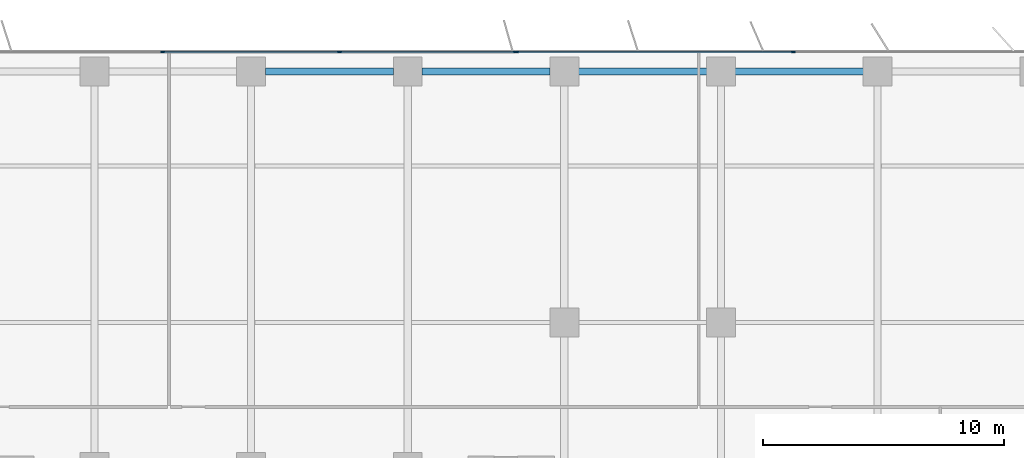
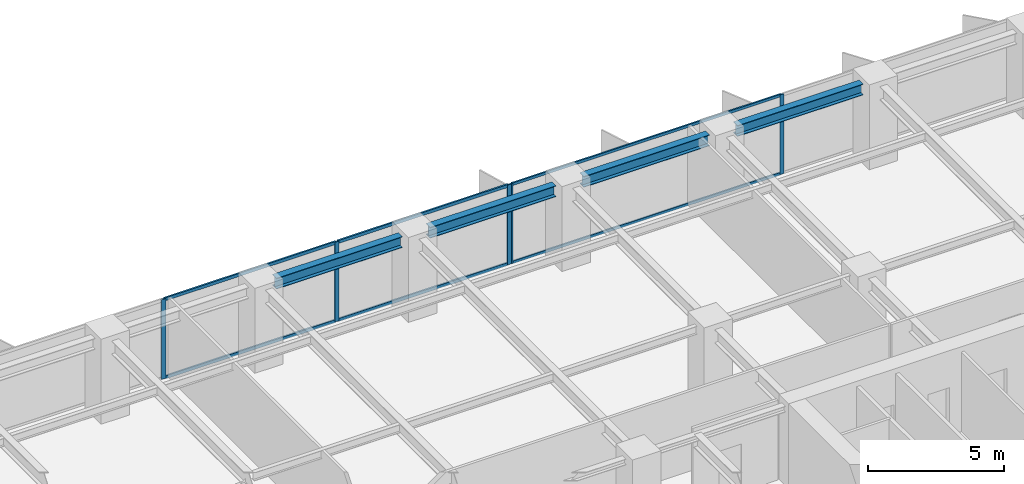
# One storey, part 9 of 20: 11 members, 4 beams, 2 elements without a shape of their own.
"""IFC4 building model written with IfcOpenShell, lengths in metres."""

import ifcopenshell
import ifcopenshell.guid

model = None  # the IFC model being written
_history = None  # IfcOwnerHistory: only IFC2X3 demands one
_inside = {}  # id of a spatial element -> (the spatial element, [elements in it])
_under = {}  # id of a project, library or spatial element -> (it, [spatial elements below it])
_declared = {}  # id of a project -> (the project, [libraries it declares])
_typed = {}  # id of a type object -> (the type object, [elements of that type])
_made_of = {}  # id of a material, layer set ... -> (it, [elements and type objects made of it])


def new_model(schema):
    """Start an empty IFC model of exactly this schema.

    Asked for "IFC4X3", IfcOpenShell would pick the latest addendum, in which some entities
    have other attributes; the version numbers below select the first issue.
    IFC2X3 requires an IfcOwnerHistory on every rooted entity: one is made here for all.
    """
    global model, _history
    if schema == "IFC4X3":
        model = ifcopenshell.file(schema_version=(4, 3, 0, 0))
    else:
        model = ifcopenshell.file(schema=schema)
    _inside.clear()
    _under.clear()
    _declared.clear()
    _typed.clear()
    _made_of.clear()
    _history = None
    if model.schema == "IFC2X3":
        org = make("IfcOrganization", Name="unknown")
        user = make(
            "IfcPersonAndOrganization",
            ThePerson=make("IfcPerson", FamilyName="unknown"),
            TheOrganization=org,
        )
        app = make(
            "IfcApplication",
            ApplicationDeveloper=org,
            Version="unknown",
            ApplicationFullName="unknown",
            ApplicationIdentifier="unknown",
        )
        _history = make(
            "IfcOwnerHistory",
            OwningUser=user,
            OwningApplication=app,
            ChangeAction="ADDED",
            CreationDate=0,
        )
    return model


def make(cls, **values):
    """One entity of the class cls with the attributes given. An attribute that is None is left unset."""
    return model.create_entity(
        cls, **{name: value for name, value in values.items() if value is not None}
    )


def rooted(cls, **values):
    """An entity with a GlobalId (a new one), such as an element, a storey or a relation."""
    return make(cls, GlobalId=ifcopenshell.guid.new(), OwnerHistory=_history, **values)


def si_unit(unit_type, name, prefix=None):
    """IfcSIUnit, for example si_unit("LENGTHUNIT", "METRE", prefix="MILLI")."""
    return make("IfcSIUnit", UnitType=unit_type, Prefix=prefix, Name=name)


def assignment(units):
    """IfcUnitAssignment: the units of a project."""
    return None if units is None else make("IfcUnitAssignment", Units=units)


def point(xyz):
    """IfcCartesianPoint."""
    return None if xyz is None else make("IfcCartesianPoint", Coordinates=xyz)


def direction(xyz):
    """IfcDirection."""
    return None if xyz is None else make("IfcDirection", DirectionRatios=xyz)


def frame(location, z_axis=None, x_axis=None):
    """IfcAxis2Placement3D, a coordinate frame: its origin and axes. An axis left out is left unset."""
    return make(
        "IfcAxis2Placement3D",
        Location=point(location),
        Axis=direction(z_axis),
        RefDirection=direction(x_axis),
    )


def frame_2d(location, x_axis=None):
    """IfcAxis2Placement2D, a coordinate frame in the plane: its origin and x axis."""
    return make(
        "IfcAxis2Placement2D", Location=point(location), RefDirection=direction(x_axis)
    )


def origin():
    """The frame at (0, 0, 0) with its axes left unset."""
    return frame((0.0, 0.0, 0.0))


def origin_2d():
    """The frame at (0, 0) in the plane with its x axis left unset."""
    return frame_2d((0.0, 0.0))


def place(relative_to, where):
    """IfcLocalPlacement: puts the frame where relative to a parent placement (None: the world)."""
    return make(
        "IfcLocalPlacement", PlacementRelTo=relative_to, RelativePlacement=where
    )


def context(
    kind, dimensions, precision=None, world=None, true_north=None, identifier=None
):
    """IfcGeometricRepresentationContext, for example the 3D "Model" context."""
    return make(
        "IfcGeometricRepresentationContext",
        ContextIdentifier=identifier,
        ContextType=kind,
        CoordinateSpaceDimension=dimensions,
        Precision=precision,
        WorldCoordinateSystem=world,
        TrueNorth=true_north,
    )


def subcontext(parent, identifier, kind, view, scale=None):
    """IfcGeometricRepresentationSubContext, for example "Body" below "Model"."""
    return make(
        "IfcGeometricRepresentationSubContext",
        ContextIdentifier=identifier,
        ContextType=kind,
        ParentContext=parent,
        TargetScale=scale,
        TargetView=view,
    )


def project(units=None, contexts=None):
    """IfcProject with its units and contexts."""
    return rooted(
        "IfcProject",
        Name="project",
        RepresentationContexts=contexts,
        UnitsInContext=assignment(units),
    )


def spatial(cls, under=None, at=None, **own):
    """A site, building, storey or space (cls), placed at a placement, below another one or the project."""
    s = rooted(cls, ObjectPlacement=at, **own)
    if under is not None:
        _under.setdefault(under.id(), (under, []))[1].append(s)
    return s


def profile(cls, at=None, kind="AREA", **sizes):
    """A parametric profile (cls). Its sizes go by their IFC names, for example OverallWidth=200.0."""
    return make(cls, ProfileType=kind, Position=at, **sizes)


def rectangle(**sizes):
    """IfcRectangleProfileDef."""
    return profile("IfcRectangleProfileDef", **sizes)


def i_section(**sizes):
    """IfcIShapeProfileDef."""
    return profile("IfcIShapeProfileDef", **sizes)


def extrude(swept, where, along, depth):
    """IfcExtrudedAreaSolid: the profile swept, set in the frame where, extruded along a direction by depth."""
    return make(
        "IfcExtrudedAreaSolid",
        SweptArea=swept,
        Position=where,
        ExtrudedDirection=direction(along),
        Depth=depth,
    )


def shape(context_of_items, identifier, shape_type, items):
    """IfcShapeRepresentation: the items that make up one representation, for example the "Body"."""
    return make(
        "IfcShapeRepresentation",
        ContextOfItems=context_of_items,
        RepresentationIdentifier=identifier,
        RepresentationType=shape_type,
        Items=items,
    )


def material(Name=None, Category=None):
    """IfcMaterial."""
    return make("IfcMaterial", Name=Name, Category=Category)


def layer(
    of_material, thickness, ventilated=None, Name=None, Category=None, Priority=None
):
    """IfcMaterialLayer: one layer of a wall or slab, of a material (None: an air gap)."""
    return make(
        "IfcMaterialLayer",
        Material=of_material,
        LayerThickness=thickness,
        IsVentilated=ventilated,
        Name=Name,
        Category=Category,
        Priority=Priority,
    )


def layer_set(layers, Name=None):
    """IfcMaterialLayerSet."""
    return make("IfcMaterialLayerSet", MaterialLayers=layers, LayerSetName=Name)


def material_profile(
    of_material, cross_section, Name=None, Category=None, Priority=None
):
    """IfcMaterialProfile: a cross section and its material."""
    return make(
        "IfcMaterialProfile",
        Name=Name,
        Material=of_material,
        Profile=cross_section,
        Priority=Priority,
        Category=Category,
    )


def profile_set(profiles, Name=None, composite=None):
    """IfcMaterialProfileSet."""
    return make(
        "IfcMaterialProfileSet",
        Name=Name,
        MaterialProfiles=profiles,
        CompositeProfile=composite,
    )


def made_of(thing, what):
    """Note that an element or type object is made of a material, layer set ...; save() writes the relation."""
    if what is not None:
        _made_of.setdefault(what.id(), (what, []))[1].append(thing)
    return thing


def type_object(cls, material=None, **own):
    """A type object (cls), such as IfcWallType, which elements share."""
    return made_of(rooted(cls, **own), material)


def element(
    cls,
    number,
    at=None,
    inside=None,
    cuts=None,
    type_object=None,
    material=None,
    context=None,
    identifier="Body",
    shape_type=None,
    held_by="IfcProductDefinitionShape",
    body=None,
    shapes=None,
    **own,
):
    """One element of the class cls, such as IfcWall. Its Tag is "e" and its number.

    at: its placement. inside: the storey or other place that contains it. cuts: it is an
    opening in that element (IfcRelVoidsElement). A single representation is given by context,
    identifier, shape_type and body (its items); several are given by shapes. held_by: the class
    of the entity that holds the representations. save() writes the other relations.
    """
    e = rooted(cls, Tag="e%d" % number, ObjectPlacement=at, **own)
    if body is not None:
        shapes = [shape(context, identifier, shape_type, body)]
    if shapes is not None:
        e.Representation = make(held_by, Representations=shapes)
    if inside is not None:
        _inside.setdefault(inside.id(), (inside, []))[1].append(e)
    if cuts is not None:
        rooted(
            "IfcRelVoidsElement", RelatingBuildingElement=cuts, RelatedOpeningElement=e
        )
    if type_object is not None:
        _typed.setdefault(type_object.id(), (type_object, []))[1].append(e)
    return made_of(e, material)


def aggregate(whole, parts):
    """IfcRelAggregates: a whole, such as a stair, and the parts it consists of."""
    return rooted("IfcRelAggregates", RelatingObject=whole, RelatedObjects=parts)


def save(model, path):
    """Write the relations noted so far, then the file.

    IfcRelAggregates (storeys below a building ...), IfcRelContainedInSpatialStructure (elements
    in a storey), IfcRelDefinesByType, IfcRelAssociatesMaterial and IfcRelDeclares: one each for
    every whole, place, type object, material and project.
    """
    for whole, parts in _under.values():
        aggregate(whole, parts)
    for where, things in _inside.values():
        rooted(
            "IfcRelContainedInSpatialStructure",
            RelatedElements=things,
            RelatingStructure=where,
        )
    for kind, things in _typed.values():
        rooted("IfcRelDefinesByType", RelatedObjects=things, RelatingType=kind)
    for what, things in _made_of.values():
        rooted("IfcRelAssociatesMaterial", RelatedObjects=things, RelatingMaterial=what)
    for by, libraries in _declared.values():
        rooted("IfcRelDeclares", RelatingContext=by, RelatedDefinitions=libraries)
    model.write(path)


model = new_model("IFC4")

# Units and contexts
model_context = context("Model", 3, precision=1e-05, world=origin(), true_north=direction((0.0, 1.0)))
body_context = subcontext(model_context, "Body", "Model", "MODEL_VIEW")
ifc_project = project(units=[si_unit("LENGTHUNIT", "METRE"), si_unit("AREAUNIT", "SQUARE_METRE"), si_unit("VOLUMEUNIT", "CUBIC_METRE"), si_unit("PLANEANGLEUNIT", "RADIAN"), si_unit("MASSUNIT", "GRAM", prefix="KILO")], contexts=[model_context])

# Site, building, storey
site_placement = place(None, origin())
site = spatial("IfcSite", under=ifc_project, at=site_placement, CompositionType="ELEMENT")
building_placement = place(site_placement, origin())
building = spatial("IfcBuilding", under=site, at=building_placement, Name="Putna Gate Headquarters", CompositionType="ELEMENT")
storey_placement = place(building_placement, frame((0.0, 0.0, 93.60009765625)))
storey = spatial("IfcBuildingStorey", under=building, at=storey_placement, Name="L22", CompositionType="ELEMENT", Elevation=93.60009765625)

# Beams
ifc_material_1 = material(Name="Steel S355J2", Category="steel")
ifc_material_profile_1 = material_profile(ifc_material_1, i_section(OverallWidth=0.300048828125, OverallDepth=0.489990234375, WebThickness=0.011962890625, FlangeThickness=0.02294921875, at=origin_2d()), Name="Steel S355J2")
ifc_profile_set_1 = profile_set([ifc_material_profile_1], Name="Steel S355J2")
beam_type = type_object("IfcBeamType", Name="BM-SPAN-Z2-HEA500", PredefinedType="SPANDREL", material=ifc_profile_set_1)
for number, where, z_axis, x_axis, name in (
    (1, (39.587890625, 49.419921875, 3.31982421875), (1.0, 0.0, 0.0), (0.0, 1.0, 0.0), "L22 N Perimeter Spandrel 6"),
    (2, (46.087890625, 49.419921875, 3.31982421875), (1.0, 0.0, 0.0), (0.0, 1.0, 0.0), "L22 N Perimeter Spandrel 7"),
    (3, (52.587890625, 49.419921875, 3.31982421875), (1.0, 0.0, 0.0), (0.0, 1.0, 0.0), "L22 N Perimeter Spandrel 8"),
    (4, (59.087890625, 49.419921875, 3.31982421875), (1.0, 0.0, 0.0), (0.0, 1.0, 0.0), "L22 N Perimeter Spandrel 9"),
):
    element("IfcBeam", number, at=place(storey_placement, frame(where, z_axis=z_axis, x_axis=x_axis)), inside=storey, type_object=beam_type, Name=name, PredefinedType="SPANDREL", context=body_context, shape_type="SweptSolid", body=[
        extrude(i_section(OverallWidth=0.300048828125, OverallDepth=0.489990234375, WebThickness=0.011962890625, FlangeThickness=0.02294921875, at=origin_2d()), origin(), (0.0, 0.0, 1.0), 5.32421875),
    ])

# Curtain wall, members
ifc_material_2 = material(Name="Anodised bronze aluminium curtain wall", Category="aluminium")
ifc_layer_1 = layer(ifc_material_2, 0.159912109375)
ifc_layer_set_1 = layer_set([ifc_layer_1], Name="Anodised bronze aluminium curtain wall")
curtain_wall_type_1 = type_object("IfcCurtainWallType", Name="CW-SYS-Z2", PredefinedType="USERDEFINED", material=ifc_layer_set_1)
curtain_wall_1_placement = place(storey_placement, origin())
curtain_wall_1 = element("IfcCurtainWall", 5, at=curtain_wall_1_placement, inside=storey, type_object=curtain_wall_type_1, Name="L22 North East Curtain Wall", ObjectType="STICK CURTAIN WALL", PredefinedType="USERDEFINED")
ifc_material_3 = material(Name="Anodised bronze aluminium EN AW-6060", Category="aluminium")
ifc_material_profile_2 = material_profile(ifc_material_3, rectangle(XDim=0.06494140625, YDim=0.159912109375, at=origin_2d()), Name="Anodised bronze aluminium EN AW-6060")
ifc_profile_set_2 = profile_set([ifc_material_profile_2], Name="Anodised bronze aluminium EN AW-6060")
member_type_1 = type_object("IfcMemberType", Name="MULL-CWM-2", PredefinedType="MULLION", material=ifc_profile_set_2)
member_1_placement = place(storey_placement, frame((50.032470703125, 50.219970703125, 0.0), z_axis=(0.0, 0.0, 1.0), x_axis=(0.0, 1.0, 0.0)))
member_1 = element("IfcMember", 6, at=member_1_placement, type_object=member_type_1, Name="CWS-2 mullion 1", PredefinedType="MULLION", context=body_context, shape_type="SweptSolid", body=[
    extrude(rectangle(XDim=0.06494140625, YDim=0.159912109375, at=origin_2d()), origin(), (0.0, 0.0, 1.0), 3.56494140625),
])
member_2_placement = place(storey_placement, frame((61.5, 50.219970703125, 0.0), z_axis=(0.0, 0.0, 1.0), x_axis=(0.0, 1.0, 0.0)))
member_2 = element("IfcMember", 7, at=member_2_placement, type_object=member_type_1, Name="CWS-2 mullion 2", PredefinedType="MULLION", context=body_context, shape_type="SweptSolid", body=[
    extrude(rectangle(XDim=0.06494140625, YDim=0.159912109375, at=origin_2d()), origin(), (0.0, 0.0, 1.0), 3.56494140625),
])

ifc_layer_2 = layer(ifc_material_2, 0.179931640625)
ifc_layer_set_2 = layer_set([ifc_layer_2], Name="Anodised bronze aluminium curtain wall")
curtain_wall_type_2 = type_object("IfcCurtainWallType", Name="CW-SYS-ATR", PredefinedType="USERDEFINED", material=ifc_layer_set_2)
curtain_wall_2_placement = place(storey_placement, origin())
curtain_wall_2 = element("IfcCurtainWall", 8, at=curtain_wall_2_placement, inside=storey, type_object=curtain_wall_type_2, Name="L22 North Atrium Clear Glazing", ObjectType="ATRIUM GLAZING", PredefinedType="USERDEFINED")
ifc_material_profile_3 = material_profile(ifc_material_3, rectangle(XDim=0.070068359375, YDim=0.179931640625, at=origin_2d()), Name="Anodised bronze aluminium EN AW-6060")
ifc_profile_set_3 = profile_set([ifc_material_profile_3], Name="Anodised bronze aluminium EN AW-6060")
member_type_2 = type_object("IfcMemberType", Name="MULL-CWM-AT", PredefinedType="MULLION", material=ifc_profile_set_3)
member_3_placement = place(storey_placement, frame((35.333251953125, 50.219970703125, 0.0), z_axis=(0.0, 0.0, 1.0), x_axis=(0.0, 1.0, 0.0)))
member_3 = element("IfcMember", 9, at=member_3_placement, type_object=member_type_2, Name="CWS-AT mullion 2", PredefinedType="MULLION", context=body_context, shape_type="SweptSolid", body=[
    extrude(rectangle(XDim=0.070068359375, YDim=0.179931640625, at=origin_2d()), origin(), (0.0, 0.0, 1.0), 3.56494140625),
])
member_4_placement = place(storey_placement, frame((42.666748046875, 50.219970703125, 0.0), z_axis=(0.0, 0.0, 1.0), x_axis=(0.0, 1.0, 0.0)))
member_4 = element("IfcMember", 10, at=member_4_placement, type_object=member_type_2, Name="CWS-AT mullion 3", PredefinedType="MULLION", context=body_context, shape_type="SweptSolid", body=[
    extrude(rectangle(XDim=0.070068359375, YDim=0.179931640625, at=origin_2d()), origin(), (0.0, 0.0, 1.0), 3.56494140625),
])
member_5_placement = place(storey_placement, frame((49.965087890625, 50.219970703125, 0.0), z_axis=(0.0, 0.0, 1.0), x_axis=(0.0, 1.0, 0.0)))
member_5 = element("IfcMember", 11, at=member_5_placement, type_object=member_type_2, Name="CWS-AT mullion 4", PredefinedType="MULLION", context=body_context, shape_type="SweptSolid", body=[
    extrude(rectangle(XDim=0.070068359375, YDim=0.179931640625, at=origin_2d()), origin(), (0.0, 0.0, 1.0), 3.56494140625),
])

# Member
ifc_material_profile_4 = material_profile(ifc_material_3, rectangle(XDim=0.06494140625, YDim=0.1201171875, at=origin_2d()), Name="Anodised bronze aluminium EN AW-6060")
ifc_profile_set_4 = profile_set([ifc_material_profile_4], Name="Anodised bronze aluminium EN AW-6060")
member_type_3 = type_object("IfcMemberType", Name="TRAN-CWT-2", PredefinedType="USERDEFINED", material=ifc_profile_set_4)
member_6_placement = place(storey_placement, frame((50.06494140625, 50.219970703125, 0.032470703125), z_axis=(1.0, 0.0, 0.0), x_axis=(0.0, 1.0, 0.0)))
member_6 = element("IfcMember", 12, at=member_6_placement, type_object=member_type_3, Name="CWS-2 transom 1.1", ObjectType="TRANSOM", PredefinedType="USERDEFINED", context=body_context, shape_type="SweptSolid", body=[
    extrude(rectangle(XDim=0.06494140625, YDim=0.1201171875, at=origin_2d()), origin(), (0.0, 0.0, 1.0), 11.402587890625),
])

member_7_placement = place(storey_placement, frame((50.06494140625, 50.219970703125, 3.532470703125), z_axis=(1.0, 0.0, 0.0), x_axis=(0.0, 1.0, 0.0)))
member_7 = element("IfcMember", 13, at=member_7_placement, type_object=member_type_3, Name="CWS-2 transom 1.2", ObjectType="TRANSOM", PredefinedType="USERDEFINED", context=body_context, shape_type="SweptSolid", body=[
    extrude(rectangle(XDim=0.06494140625, YDim=0.1201171875, at=origin_2d()), origin(), (0.0, 0.0, 1.0), 11.402587890625),
])

aggregate(curtain_wall_1, [member_1, member_2, member_6, member_7])

ifc_material_profile_5 = material_profile(ifc_material_3, rectangle(XDim=0.070068359375, YDim=0.139892578125, at=origin_2d()), Name="Anodised bronze aluminium EN AW-6060")
ifc_profile_set_5 = profile_set([ifc_material_profile_5], Name="Anodised bronze aluminium EN AW-6060")
member_type_4 = type_object("IfcMemberType", Name="TRAN-CWT-AT", PredefinedType="USERDEFINED", material=ifc_profile_set_5)
member_8_placement = place(storey_placement, frame((35.368408203125, 50.219970703125, 0.034912109375), z_axis=(1.0, 0.0, 0.0), x_axis=(0.0, 1.0, 0.0)))
member_8 = element("IfcMember", 14, at=member_8_placement, type_object=member_type_4, Name="CWS-AT transom 2.1", ObjectType="TRANSOM", PredefinedType="USERDEFINED", context=body_context, shape_type="SweptSolid", body=[
    extrude(rectangle(XDim=0.070068359375, YDim=0.139892578125, at=origin_2d()), origin(), (0.0, 0.0, 1.0), 7.26318359375),
])

member_9_placement = place(storey_placement, frame((35.368408203125, 50.219970703125, 3.52978515625), z_axis=(1.0, 0.0, 0.0), x_axis=(0.0, 1.0, 0.0)))
member_9 = element("IfcMember", 15, at=member_9_placement, type_object=member_type_4, Name="CWS-AT transom 2.2", ObjectType="TRANSOM", PredefinedType="USERDEFINED", context=body_context, shape_type="SweptSolid", body=[
    extrude(rectangle(XDim=0.070068359375, YDim=0.139892578125, at=origin_2d()), origin(), (0.0, 0.0, 1.0), 7.26318359375),
])

member_10_placement = place(storey_placement, frame((42.70166015625, 50.219970703125, 0.034912109375), z_axis=(1.0, 0.0, 0.0), x_axis=(0.0, 1.0, 0.0)))
member_10 = element("IfcMember", 16, at=member_10_placement, type_object=member_type_4, Name="CWS-AT transom 3.1", ObjectType="TRANSOM", PredefinedType="USERDEFINED", context=body_context, shape_type="SweptSolid", body=[
    extrude(rectangle(XDim=0.070068359375, YDim=0.139892578125, at=origin_2d()), origin(), (0.0, 0.0, 1.0), 7.228271484375),
])

member_11_placement = place(storey_placement, frame((42.70166015625, 50.219970703125, 3.52978515625), z_axis=(1.0, 0.0, 0.0), x_axis=(0.0, 1.0, 0.0)))
member_11 = element("IfcMember", 17, at=member_11_placement, type_object=member_type_4, Name="CWS-AT transom 3.2", ObjectType="TRANSOM", PredefinedType="USERDEFINED", context=body_context, shape_type="SweptSolid", body=[
    extrude(rectangle(XDim=0.070068359375, YDim=0.139892578125, at=origin_2d()), origin(), (0.0, 0.0, 1.0), 7.228271484375),
])

aggregate(curtain_wall_2, [member_3, member_4, member_5, member_8, member_9, member_10, member_11])

save(model, "model.ifc")
